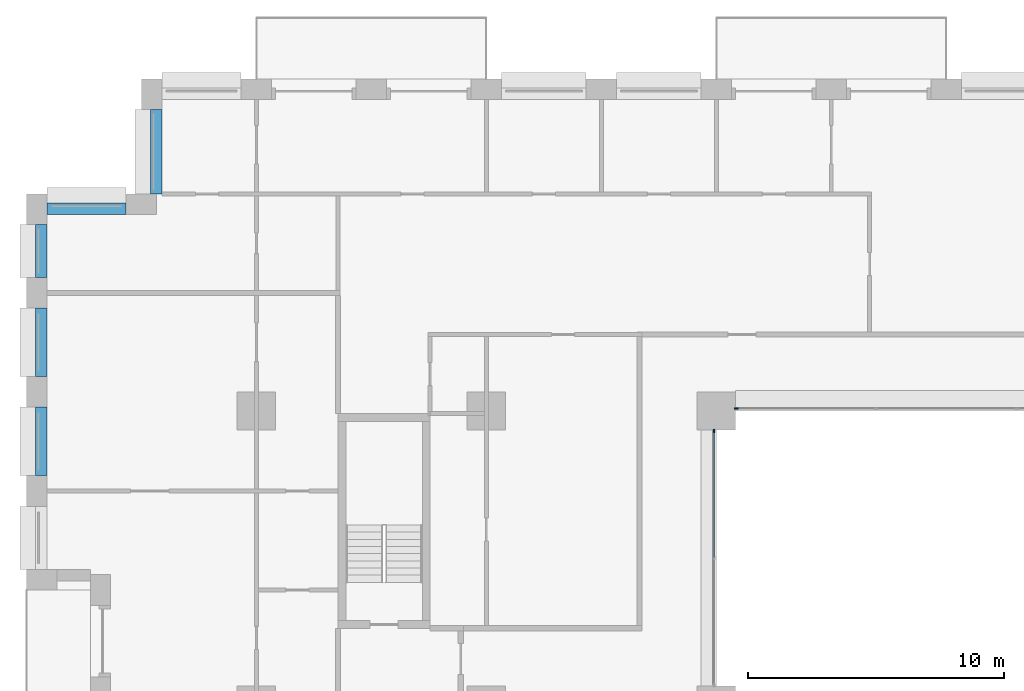
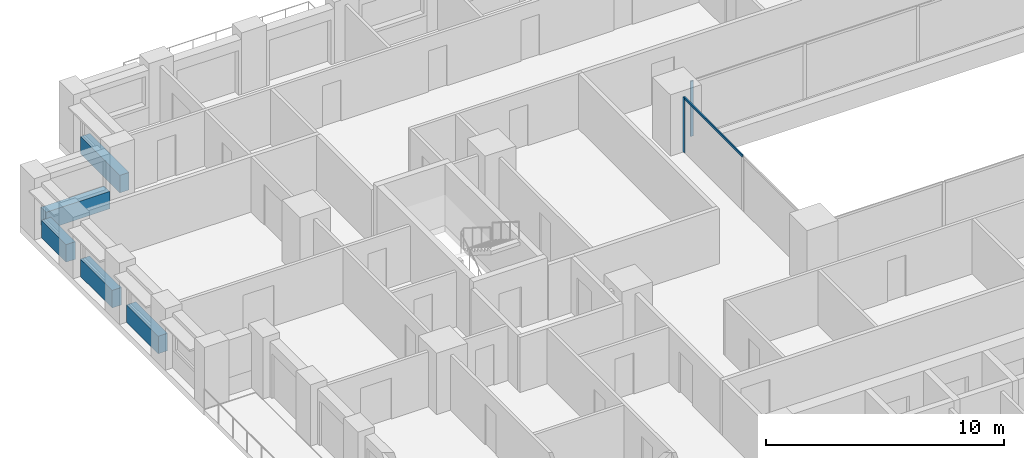
# One storey, part 5 of 20: 5 beams, 3 members, 2 elements without a shape of their own.
"""IFC4 building model written with IfcOpenShell, lengths in metres."""

from ifc_helpers import new_model, si_unit, direction, frame, origin, origin_2d, place, context, subcontext, project, spatial, rectangle, extrude, material, layer, layer_set, material_profile, profile_set, type_object, element, aggregate, save


model = new_model("IFC4")

# Units and contexts
model_context = context("Model", 3, precision=1e-05, world=origin(), true_north=direction((0.0, 1.0)))
body_context = subcontext(model_context, "Body", "Model", "MODEL_VIEW")
ifc_project = project(units=[si_unit("LENGTHUNIT", "METRE"), si_unit("AREAUNIT", "SQUARE_METRE"), si_unit("VOLUMEUNIT", "CUBIC_METRE"), si_unit("PLANEANGLEUNIT", "RADIAN"), si_unit("MASSUNIT", "GRAM", prefix="KILO")], contexts=[model_context])

# Site, building, storey
site_placement = place(None, origin())
site = spatial("IfcSite", under=ifc_project, at=site_placement, CompositionType="ELEMENT")
building_placement = place(site_placement, origin())
building = spatial("IfcBuilding", under=site, at=building_placement, Name="Brigalow Station Residences", CompositionType="ELEMENT")
storey_placement = place(building_placement, frame((0.0, 0.0, 57.300048828125)))
storey = spatial("IfcBuildingStorey", under=building, at=storey_placement, Name="L16", CompositionType="ELEMENT", Elevation=57.300048828125)

# Curtain wall, member
ifc_material_1 = material(Name="Aluminium", Category="aluminium")
ifc_layer = layer(ifc_material_1, 0.14990234375)
ifc_layer_set = layer_set([ifc_layer], Name="ATRIUM FIRE-RATED GLAZING CURTAIN WALL")
curtain_wall_type = type_object("IfcCurtainWallType", Name="ATRIUM FIRE-RATED GLAZING CURTAIN WALL", PredefinedType="NOTDEFINED", material=ifc_layer_set)
curtain_wall_1_placement = place(storey_placement, origin())
curtain_wall_1 = element("IfcCurtainWall", 1, at=curtain_wall_1_placement, inside=storey, type_object=curtain_wall_type, Name="L16/cw/atrium-N", PredefinedType="NOTDEFINED")
ifc_material_2 = material(Name="Aluminium", Category="aluminium")
ifc_material_profile_1 = material_profile(ifc_material_2, rectangle(XDim=0.06005859375, YDim=0.14990234375, at=origin_2d()), Name="ATRIUM FIRE-RATED GLAZING MULLION 60x150")
ifc_profile_set_1 = profile_set([ifc_material_profile_1], Name="Aluminium")
member_type_1 = type_object("IfcMemberType", Name="ATRIUM FIRE-RATED GLAZING MULLION 60x150", PredefinedType="MULLION", material=ifc_profile_set_1)
member_1_placement = place(storey_placement, frame((27.780029296875, 35.60009765625, 0.0), z_axis=(0.0, 0.0, 1.0), x_axis=(0.0, -1.0, 0.0)))
member_1 = element("IfcMember", 2, at=member_1_placement, type_object=member_type_1, Name="L16/cw/atrium-N/M03", PredefinedType="MULLION", context=body_context, shape_type="SweptSolid", body=[
    extrude(rectangle(XDim=0.06005859375, YDim=0.14990234375, at=origin_2d()), origin(), (0.0, 0.0, 1.0), 2.829833984375),
])
aggregate(curtain_wall_1, [member_1])

# Curtain wall, members
curtain_wall_2_placement = place(storey_placement, origin())
curtain_wall_2 = element("IfcCurtainWall", 3, at=curtain_wall_2_placement, inside=storey, type_object=curtain_wall_type, Name="L16/cw/atrium-W", PredefinedType="NOTDEFINED")
member_2_placement = place(storey_placement, frame((26.89990234375, 34.719970703125, 0.0), z_axis=(0.0, 0.0, 1.0), x_axis=(1.0, 0.0, 0.0)))
member_2 = element("IfcMember", 4, at=member_2_placement, type_object=member_type_1, Name="L16/cw/atrium-W/M00", PredefinedType="MULLION", context=body_context, shape_type="SweptSolid", body=[
    extrude(rectangle(XDim=0.06005859375, YDim=0.14990234375, at=origin_2d()), origin(), (0.0, 0.0, 1.0), 2.829833984375),
])
ifc_material_3 = material(Name="Aluminium", Category="aluminium")
ifc_material_profile_2 = material_profile(ifc_material_3, rectangle(XDim=0.06005859375, YDim=0.1201171875, at=origin_2d()), Name="ATRIUM FIRE-RATED GLAZING TRANSOM 60x120")
ifc_profile_set_2 = profile_set([ifc_material_profile_2], Name="Aluminium")
member_type_2 = type_object("IfcMemberType", Name="ATRIUM FIRE-RATED GLAZING TRANSOM 60x120", PredefinedType="USERDEFINED", material=ifc_profile_set_2)
member_3_placement = place(storey_placement, frame((26.89990234375, 34.68994140625, 2.800048828125), z_axis=(0.0, -1.0, 0.0), x_axis=(1.0, 0.0, 0.0)))
member_3 = element("IfcMember", 5, at=member_3_placement, type_object=member_type_2, Name="L16/cw/atrium-W/T00-00", ObjectType="TRANSOM", PredefinedType="USERDEFINED", context=body_context, shape_type="SweptSolid", body=[
    extrude(rectangle(XDim=0.06005859375, YDim=0.1201171875, at=origin_2d()), origin(), (0.0, 0.0, 1.0), 4.909912109375),
])
aggregate(curtain_wall_2, [member_2, member_3])

# Beams
ifc_material_4 = material(Name="Concrete C65", Category="concrete")
ifc_material_profile_3 = material_profile(ifc_material_4, rectangle(XDim=0.449951171875, YDim=0.89990234375, at=origin_2d()), Name="RC450x900")
ifc_profile_set_3 = profile_set([ifc_material_profile_3], Name="Concrete C65")
beam_type = type_object("IfcBeamType", Name="SPANDREL BEAM 450x900 C65", PredefinedType="SPANDREL", material=ifc_profile_set_3)
beam_1_placement = place(storey_placement, frame((5.074951171875, 47.300048828125, 0.449951171875), z_axis=(0.0, -1.0, 0.0), x_axis=(1.0, 0.0, 0.0)))
element("IfcBeam", 6, at=beam_1_placement, inside=storey, type_object=beam_type, Name="L16/spandrel/W-L16-40", PredefinedType="SPANDREL", context=body_context, shape_type="SweptSolid", body=[
    extrude(rectangle(XDim=0.449951171875, YDim=0.89990234375, at=origin_2d()), origin(), (0.0, 0.0, 1.0), 3.300048828125),
])
beam_2_placement = place(storey_placement, frame((3.89990234375, 43.425048828125, 0.449951171875), z_axis=(-1.0, 0.0, 0.0), x_axis=(0.0, -1.0, 0.0)))
element("IfcBeam", 7, at=beam_2_placement, inside=storey, type_object=beam_type, Name="L16/spandrel/W-L16-41", PredefinedType="SPANDREL", context=body_context, shape_type="SweptSolid", body=[
    extrude(rectangle(XDim=0.449951171875, YDim=0.89990234375, at=origin_2d()), origin(), (0.0, 0.0, 1.0), 3.099853515625),
])
beam_3_placement = place(storey_placement, frame((0.574951171875, 42.800048828125, 0.449951171875), z_axis=(0.0, -1.0, 0.0), x_axis=(1.0, 0.0, 0.0)))
element("IfcBeam", 8, at=beam_3_placement, inside=storey, type_object=beam_type, Name="L16/spandrel/W-L16-42", PredefinedType="SPANDREL", context=body_context, shape_type="SweptSolid", body=[
    extrude(rectangle(XDim=0.449951171875, YDim=0.89990234375, at=origin_2d()), origin(), (0.0, 0.0, 1.0), 2.074951171875),
])
for number, where, z_axis, x_axis, name in (
    (9, (0.574951171875, 39.52490234375, 0.449951171875), (0.0, -1.0, 0.0), (1.0, 0.0, 0.0), "L16/spandrel/W-L16-43"),
    (10, (0.574951171875, 35.64990234375, 0.449951171875), (0.0, -1.0, 0.0), (1.0, 0.0, 0.0), "L16/spandrel/W-L16-44"),
):
    element("IfcBeam", number, at=place(storey_placement, frame(where, z_axis=z_axis, x_axis=x_axis)), inside=storey, type_object=beam_type, Name=name, PredefinedType="SPANDREL", context=body_context, shape_type="SweptSolid", body=[
        extrude(rectangle(XDim=0.449951171875, YDim=0.89990234375, at=origin_2d()), origin(), (0.0, 0.0, 1.0), 2.6748046875),
    ])

save(model, "model.ifc")
